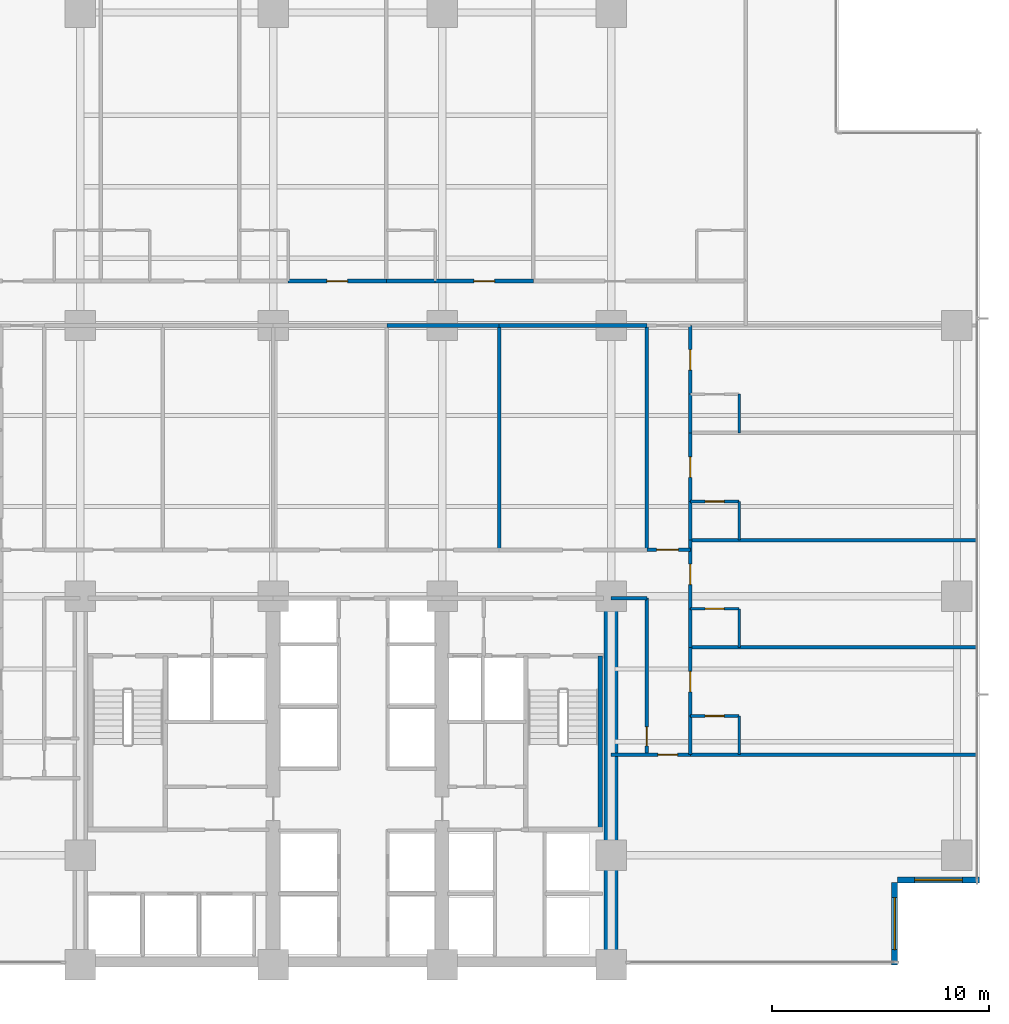
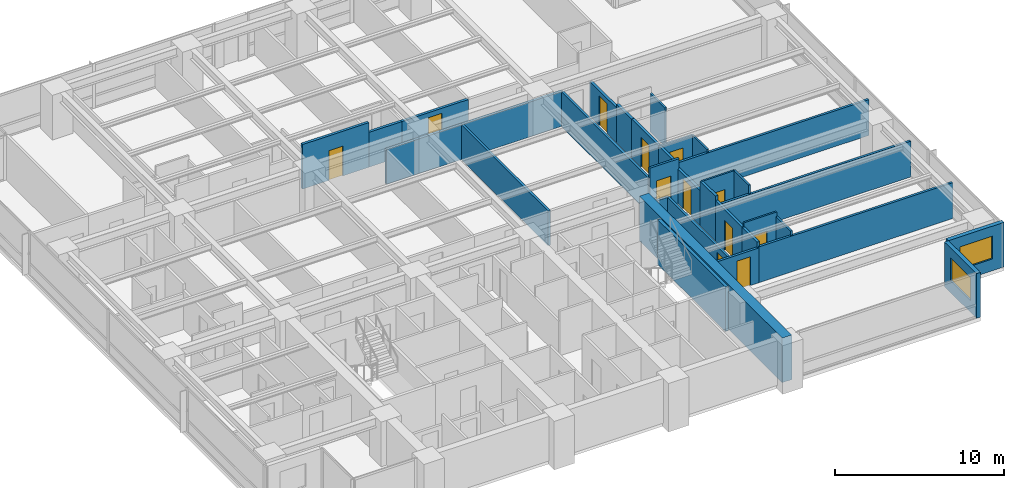
# One storey, part 10 of 16: 33 walls, 12 doors, 2 windows, 14 openings.
"""IFC4 building model written with IfcOpenShell, lengths in metres."""

from ifc_helpers import new_model, si_unit, direction, frame, frame_2d, origin, place, context, subcontext, project, spatial, rectangle, extrude, material, layer, layer_set, type_object, element, fill, save


model = new_model("IFC4")

# Units and contexts
model_context = context("Model", 3, precision=1e-05, world=origin(), true_north=direction((0.0, 1.0)))
body_context = subcontext(model_context, "Body", "Model", "MODEL_VIEW")
ifc_project = project(units=[si_unit("LENGTHUNIT", "METRE"), si_unit("AREAUNIT", "SQUARE_METRE"), si_unit("VOLUMEUNIT", "CUBIC_METRE"), si_unit("PLANEANGLEUNIT", "RADIAN"), si_unit("MASSUNIT", "GRAM", prefix="KILO")], contexts=[model_context])

# Site, building, storey
site_placement = place(None, origin())
site = spatial("IfcSite", under=ifc_project, at=site_placement, CompositionType="ELEMENT")
building_placement = place(site_placement, origin())
building = spatial("IfcBuilding", under=site, at=building_placement, Name="Qalmaran Belvedere Hotel", CompositionType="ELEMENT")
storey_placement = place(building_placement, frame((0.0, 0.0, 36.89990234375)))
storey = spatial("IfcBuildingStorey", under=building, at=storey_placement, Name="L08", CompositionType="ELEMENT", Elevation=36.89990234375)

# Wall
ifc_material_1 = material(Name="Concrete C60/75", Category="concrete")
ifc_layer_1 = layer(ifc_material_1, 0.64990234375, Name="Concrete C60/75")
ifc_layer_set_1 = layer_set([ifc_layer_1], Name="Concrete C60/75")
wall_type_1 = type_object("IfcWallType", Name="WL-CORE-650-C60", PredefinedType="SHEAR", material=ifc_layer_set_1)
wall_1_placement = place(storey_placement, frame((44.800048828125, 3.5, 0.0), z_axis=(0.0, 0.0, 1.0), x_axis=(0.0, 1.0, 0.0)))
element("IfcWall", 1, at=wall_1_placement, inside=storey, type_object=wall_type_1, Name="L08 East Core Shear Wall", PredefinedType="SHEAR", context=body_context, shape_type="SweptSolid", body=[
    extrude(rectangle(XDim=16.89990234375, YDim=0.64990234375, at=frame_2d((8.449951171875, 0.0))), origin(), (0.0, 0.0, 1.0), 3.22021484375),
])

# Wall, opening, window
ifc_material_2 = material(Name="Anodised Bronze Cladding")
ifc_layer_2 = layer(ifc_material_2, 0.280029296875, Name="Anodised Bronze Cladding")
ifc_layer_set_2 = layer_set([ifc_layer_2], Name="Anodised Bronze Cladding")
wall_type_2 = type_object("IfcWallType", Name="WL-EXT-BRNZ-280", PredefinedType="SOLIDWALL", material=ifc_layer_set_2)
wall_2_placement = place(storey_placement, frame((57.8798828125, 3.5, 0.0), z_axis=(0.0, 0.0, 1.0), x_axis=(0.0, 1.0, 0.0)))
wall_2 = element("IfcWall", 2, at=wall_2_placement, inside=storey, type_object=wall_type_2, Name="L08 Corner Notch Wall 1", PredefinedType="SOLIDWALL", context=body_context, shape_type="SweptSolid", body=[
    extrude(rectangle(XDim=3.800048828125, YDim=0.280029296875, at=frame_2d((1.89990234375, 0.0))), origin(), (0.0, 0.0, 1.0), 3.22021484375),
])
opening_1_placement = place(wall_2_placement, frame((0.699951171875, 0.0, 0.85009765625)))
opening_1 = element("IfcOpeningElement", 3, at=opening_1_placement, cuts=wall_2, Name="Opening W-N24", PredefinedType="OPENING", context=body_context, shape_type="SweptSolid", body=[
    extrude(rectangle(XDim=2.39990234375, YDim=1.64990234375, at=frame_2d((1.199951171875, 0.824951171875))), frame((0.0, 0.14990234375, 0.0), z_axis=(0.0, -1.0, 0.0), x_axis=(1.0, 0.0, 0.0)), (0.0, 0.0, 1.0), 0.300048828125),
])
ifc_material_3 = material(Name="Solar-Control Double Glazing", Category="glass")
window_type_1 = type_object("IfcWindowType", Name="WN-NTC-2400X1650", PartitioningType="SINGLE_PANEL", PredefinedType="WINDOW", material=ifc_material_3)
window_1_placement = place(opening_1_placement, origin())
window_1 = element("IfcWindow", 4, at=window_1_placement, inside=storey, type_object=window_type_1, Name="L08 Corner Notch Window 1", OverallHeight=1.64990234375, OverallWidth=2.39990234375, PartitioningType="SINGLE_PANEL", PredefinedType="WINDOW", context=body_context, shape_type="SweptSolid", body=[
    extrude(rectangle(XDim=2.39990234375, YDim=1.64990234375, at=frame_2d((1.199951171875, 0.824951171875))), frame((0.0, 0.030029296875, 0.0), z_axis=(0.0, -1.0, 0.0), x_axis=(1.0, 0.0, 0.0)), (0.0, 0.0, 1.0), 0.06005859375),
])
fill(opening_1, window_1)

wall_3_placement = place(storey_placement, frame((58.0, 7.419921875, 0.0), z_axis=(0.0, 0.0, 1.0), x_axis=(1.0, 0.0, 0.0)))
wall_3 = element("IfcWall", 5, at=wall_3_placement, inside=storey, type_object=wall_type_2, Name="L08 Corner Notch Wall 2", PredefinedType="SOLIDWALL", context=body_context, shape_type="SweptSolid", body=[
    extrude(rectangle(XDim=3.800048828125, YDim=0.280029296875, at=frame_2d((1.89990234375, 0.0))), origin(), (0.0, 0.0, 1.0), 3.22021484375),
])
opening_2_placement = place(wall_3_placement, frame((0.800048828125, 0.0, 0.85009765625)))
opening_2 = element("IfcOpeningElement", 6, at=opening_2_placement, cuts=wall_3, Name="Opening W-N22", PredefinedType="OPENING", context=body_context, shape_type="SweptSolid", body=[
    extrude(rectangle(XDim=2.199951171875, YDim=1.64990234375, at=frame_2d((1.10009765625, 0.824951171875))), frame((0.0, 0.14990234375, 0.0), z_axis=(0.0, -1.0, 0.0), x_axis=(1.0, 0.0, 0.0)), (0.0, 0.0, 1.0), 0.300048828125),
])
window_type_2 = type_object("IfcWindowType", Name="WN-NTC-2200X1650", PartitioningType="SINGLE_PANEL", PredefinedType="WINDOW", material=ifc_material_3)
window_2_placement = place(opening_2_placement, origin())
window_2 = element("IfcWindow", 7, at=window_2_placement, inside=storey, type_object=window_type_2, Name="L08 Corner Notch Window 2", OverallHeight=1.64990234375, OverallWidth=2.199951171875, PartitioningType="SINGLE_PANEL", PredefinedType="WINDOW", context=body_context, shape_type="SweptSolid", body=[
    extrude(rectangle(XDim=2.199951171875, YDim=1.64990234375, at=frame_2d((1.10009765625, 0.824951171875))), frame((0.0, 0.030029296875, 0.0), z_axis=(0.0, -1.0, 0.0), x_axis=(1.0, 0.0, 0.0)), (0.0, 0.0, 1.0), 0.06005859375),
])
fill(opening_2, window_2)

# Wall, opening, door
ifc_material_4 = material(Name="Moisture-Resistant Gypsum")
ifc_layer_3 = layer(ifc_material_4, 0.1201171875, Name="Moisture-Resistant Gypsum")
ifc_layer_set_3 = layer_set([ifc_layer_3], Name="Moisture-Resistant Gypsum")
wall_type_3 = type_object("IfcWallType", Name="WL-INT-120-BATH", PredefinedType="PARTITIONING", material=ifc_layer_set_3)
wall_4_placement = place(storey_placement, frame((48.449951171875, 14.97998046875, 0.0), z_axis=(0.0, 0.0, 1.0), x_axis=(1.0, 0.0, 0.0)))
wall_4 = element("IfcWall", 8, at=wall_4_placement, inside=storey, type_object=wall_type_3, Name="L08 Partition WL-L08-EBN00", PredefinedType="PARTITIONING", context=body_context, shape_type="SweptSolid", body=[
    extrude(rectangle(XDim=2.25, YDim=0.1201171875, at=frame_2d((1.125, 0.0))), origin(), (0.0, 0.0, 1.0), 3.22021484375),
])
opening_3_placement = place(wall_4_placement, frame((1.56494140625, 0.0, 0.0), z_axis=(0.0, 0.0, 1.0), x_axis=(-1.0, 0.0, 0.0)))
opening_3 = element("IfcOpeningElement", 9, at=opening_3_placement, cuts=wall_4, Name="Opening D-BATH", PredefinedType="OPENING", context=body_context, shape_type="SweptSolid", body=[
    extrude(rectangle(XDim=0.8798828125, YDim=2.080078125, at=frame_2d((0.43994140625, 1.0400390625))), frame((0.0, 0.070068359375, 0.0), z_axis=(0.0, -1.0, 0.0), x_axis=(1.0, 0.0, 0.0)), (0.0, 0.0, 1.0), 0.14013671875),
])
ifc_material_5 = material(Name="Engineered Oak Veneer")
door_type_1 = type_object("IfcDoorType", Name="DR-INT-BATH-880X2080", OperationType="NOTDEFINED", PredefinedType="DOOR", material=ifc_material_5)
door_1_placement = place(opening_3_placement, origin())
door_1 = element("IfcDoor", 10, at=door_1_placement, inside=storey, type_object=door_type_1, Name="L08 E Ensuite Door 01", OperationType="SINGLE_SWING_RIGHT", OverallHeight=2.080078125, OverallWidth=0.8798828125, PredefinedType="DOOR", context=body_context, shape_type="SweptSolid", body=[
    extrude(rectangle(XDim=0.8798828125, YDim=2.080078125, at=frame_2d((0.43994140625, 1.0400390625))), frame((0.0, 0.02490234375, 0.0), z_axis=(0.0, -1.0, 0.0), x_axis=(1.0, 0.0, 0.0)), (0.0, 0.0, 1.0), 0.050048828125),
])
fill(opening_3, door_1)

# Wall
wall_5_placement = place(storey_placement, frame((50.699951171875, 13.199951171875, 0.0), z_axis=(0.0, 0.0, 1.0), x_axis=(0.0, 1.0, 0.0)))
element("IfcWall", 11, at=wall_5_placement, inside=storey, type_object=wall_type_3, Name="L08 Partition WL-L08-EBS00", PredefinedType="PARTITIONING", context=body_context, shape_type="SweptSolid", body=[
    extrude(rectangle(XDim=1.780029296875, YDim=0.1201171875, at=frame_2d((0.89013671875, 0.0))), origin(), (0.0, 0.0, 1.0), 2.902099609375),
])

# Wall, opening, door
wall_6_placement = place(storey_placement, frame((48.449951171875, 19.929931640625, 0.0), z_axis=(0.0, 0.0, 1.0), x_axis=(1.0, 0.0, 0.0)))
wall_6 = element("IfcWall", 12, at=wall_6_placement, inside=storey, type_object=wall_type_3, Name="L08 Partition WL-L08-EBN01", PredefinedType="PARTITIONING", context=body_context, shape_type="SweptSolid", body=[
    extrude(rectangle(XDim=2.25, YDim=0.1201171875, at=frame_2d((1.125, 0.0))), origin(), (0.0, 0.0, 1.0), 3.22021484375),
])
opening_4_placement = place(wall_6_placement, frame((1.56494140625, 0.0, 0.0), z_axis=(0.0, 0.0, 1.0), x_axis=(-1.0, 0.0, 0.0)))
opening_4 = element("IfcOpeningElement", 13, at=opening_4_placement, cuts=wall_6, Name="Opening D-BATH", PredefinedType="OPENING", context=body_context, shape_type="SweptSolid", body=[
    extrude(rectangle(XDim=0.8798828125, YDim=2.080078125, at=frame_2d((0.43994140625, 1.0400390625))), frame((0.0, 0.070068359375, 0.0), z_axis=(0.0, -1.0, 0.0), x_axis=(1.0, 0.0, 0.0)), (0.0, 0.0, 1.0), 0.14013671875),
])
door_2_placement = place(opening_4_placement, origin())
door_2 = element("IfcDoor", 14, at=door_2_placement, inside=storey, type_object=door_type_1, Name="L08 E Ensuite Door 02", OperationType="SINGLE_SWING_RIGHT", OverallHeight=2.080078125, OverallWidth=0.8798828125, PredefinedType="DOOR", context=body_context, shape_type="SweptSolid", body=[
    extrude(rectangle(XDim=0.8798828125, YDim=2.080078125, at=frame_2d((0.43994140625, 1.0400390625))), frame((0.0, 0.02490234375, 0.0), z_axis=(0.0, -1.0, 0.0), x_axis=(1.0, 0.0, 0.0)), (0.0, 0.0, 1.0), 0.050048828125),
])
fill(opening_4, door_2)

# Wall
wall_7_placement = place(storey_placement, frame((50.699951171875, 18.14990234375, 0.0), z_axis=(0.0, 0.0, 1.0), x_axis=(0.0, 1.0, 0.0)))
element("IfcWall", 15, at=wall_7_placement, inside=storey, type_object=wall_type_3, Name="L08 Partition WL-L08-EBS01", PredefinedType="PARTITIONING", context=body_context, shape_type="SweptSolid", body=[
    extrude(rectangle(XDim=1.780029296875, YDim=0.1201171875, at=frame_2d((0.89013671875, 0.0))), origin(), (0.0, 0.0, 1.0), 3.22021484375),
])

# Wall, opening, door
wall_8_placement = place(storey_placement, frame((48.449951171875, 24.8798828125, 0.0), z_axis=(0.0, 0.0, 1.0), x_axis=(1.0, 0.0, 0.0)))
wall_8 = element("IfcWall", 16, at=wall_8_placement, inside=storey, type_object=wall_type_3, Name="L08 Partition WL-L08-EBN02", PredefinedType="PARTITIONING", context=body_context, shape_type="SweptSolid", body=[
    extrude(rectangle(XDim=2.25, YDim=0.1201171875, at=frame_2d((1.125, 0.0))), origin(), (0.0, 0.0, 1.0), 2.7880859375),
])
opening_5_placement = place(wall_8_placement, frame((1.56494140625, 0.0, 0.0), z_axis=(0.0, 0.0, 1.0), x_axis=(-1.0, 0.0, 0.0)))
opening_5 = element("IfcOpeningElement", 17, at=opening_5_placement, cuts=wall_8, Name="Opening D-BATH", PredefinedType="OPENING", context=body_context, shape_type="SweptSolid", body=[
    extrude(rectangle(XDim=0.8798828125, YDim=2.080078125, at=frame_2d((0.43994140625, 1.0400390625))), frame((0.0, 0.070068359375, 0.0), z_axis=(0.0, -1.0, 0.0), x_axis=(1.0, 0.0, 0.0)), (0.0, 0.0, 1.0), 0.14013671875),
])
door_3_placement = place(opening_5_placement, origin())
door_3 = element("IfcDoor", 18, at=door_3_placement, inside=storey, type_object=door_type_1, Name="L08 E Ensuite Door 03", OperationType="SINGLE_SWING_RIGHT", OverallHeight=2.080078125, OverallWidth=0.8798828125, PredefinedType="DOOR", context=body_context, shape_type="SweptSolid", body=[
    extrude(rectangle(XDim=0.8798828125, YDim=2.080078125, at=frame_2d((0.43994140625, 1.0400390625))), frame((0.0, 0.02490234375, 0.0), z_axis=(0.0, -1.0, 0.0), x_axis=(1.0, 0.0, 0.0)), (0.0, 0.0, 1.0), 0.050048828125),
])
fill(opening_5, door_3)

# Walls
wall_9_placement = place(storey_placement, frame((50.699951171875, 23.10009765625, 0.0), z_axis=(0.0, 0.0, 1.0), x_axis=(0.0, 1.0, 0.0)))
element("IfcWall", 19, at=wall_9_placement, inside=storey, type_object=wall_type_3, Name="L08 Partition WL-L08-EBS02", PredefinedType="PARTITIONING", context=body_context, shape_type="SweptSolid", body=[
    extrude(rectangle(XDim=1.77978515625, YDim=0.1201171875, at=frame_2d((0.889892578125, 0.0))), origin(), (0.0, 0.0, 1.0), 2.7880859375),
])
wall_10_placement = place(storey_placement, frame((50.699951171875, 28.050048828125, 0.0), z_axis=(0.0, 0.0, 1.0), x_axis=(0.0, 1.0, 0.0)))
element("IfcWall", 20, at=wall_10_placement, inside=storey, type_object=wall_type_3, Name="L08 Partition WL-L08-EBS03", PredefinedType="PARTITIONING", context=body_context, shape_type="SweptSolid", body=[
    extrude(rectangle(XDim=1.780029296875, YDim=0.1201171875, at=frame_2d((0.89013671875, 0.0))), origin(), (0.0, 0.0, 1.0), 2.7880859375),
])

# Wall, opening, door
ifc_material_6 = material(Name="Gypsum Stud Partition")
ifc_layer_4 = layer(ifc_material_6, 0.14990234375, Name="Gypsum Stud Partition")
ifc_layer_set_4 = layer_set([ifc_layer_4], Name="Gypsum Stud Partition")
wall_type_4 = type_object("IfcWallType", Name="WL-INT-150-EI60", PredefinedType="PARTITIONING", material=ifc_layer_set_4)
wall_11_placement = place(storey_placement, frame((46.449951171875, 22.64990234375, 0.0), z_axis=(0.0, 0.0, 1.0), x_axis=(1.0, 0.0, 0.0)))
wall_11 = element("IfcWall", 21, at=wall_11_placement, inside=storey, type_object=wall_type_4, Name="L08 Partition WL-L08-XCE1", PredefinedType="PARTITIONING", context=body_context, shape_type="SweptSolid", body=[
    extrude(rectangle(XDim=2.0, YDim=0.14990234375, at=frame_2d((1.0, 0.0))), origin(), (0.0, 0.0, 1.0), 3.22021484375),
])
opening_6_placement = place(wall_11_placement, frame((0.449951171875, 0.0, 0.0)))
opening_6 = element("IfcOpeningElement", 22, at=opening_6_placement, cuts=wall_11, Name="Opening FD90B", PredefinedType="OPENING", context=body_context, shape_type="SweptSolid", body=[
    extrude(rectangle(XDim=1.0, YDim=2.14990234375, at=frame_2d((0.5, 1.074951171875))), frame((0.0, 0.0849609375, 0.0), z_axis=(0.0, -1.0, 0.0), x_axis=(1.0, 0.0, 0.0)), (0.0, 0.0, 1.0), 0.169921875),
])
ifc_material_7 = material(Name="Steel S355JR", Category="steel")
door_type_2 = type_object("IfcDoorType", Name="DR-FD90B-1000X2150", OperationType="NOTDEFINED", PredefinedType="DOOR", material=ifc_material_7)
door_4_placement = place(opening_6_placement, origin())
door_4 = element("IfcDoor", 23, at=door_4_placement, inside=storey, type_object=door_type_2, Name="L08 East Corridor Smoke Door S", OperationType="SINGLE_SWING_LEFT", OverallHeight=2.14990234375, OverallWidth=1.0, PredefinedType="DOOR", context=body_context, shape_type="SweptSolid", body=[
    extrude(rectangle(XDim=1.0, YDim=2.14990234375, at=frame_2d((0.5, 1.074951171875))), frame((0.0, 0.02490234375, 0.0), z_axis=(0.0, -1.0, 0.0), x_axis=(1.0, 0.0, 0.0)), (0.0, 0.0, 1.0), 0.050048828125),
])
fill(opening_6, door_4)

ifc_layer_5 = layer(ifc_material_6, 0.159912109375, Name="Gypsum Stud Partition")
ifc_layer_set_5 = layer_set([ifc_layer_5], Name="Gypsum Stud Partition")
wall_type_5 = type_object("IfcWallType", Name="WL-INT-160-EI60", PredefinedType="PARTITIONING", material=ifc_layer_set_5)
wall_12_placement = place(storey_placement, frame((44.800048828125, 13.199951171875, 0.0), z_axis=(0.0, 0.0, 1.0), x_axis=(1.0, 0.0, 0.0)))
wall_12 = element("IfcWall", 24, at=wall_12_placement, inside=storey, type_object=wall_type_5, Name="L08 Partition WL-L08-SERL", PredefinedType="PARTITIONING", context=body_context, shape_type="SweptSolid", body=[
    extrude(rectangle(XDim=3.64990234375, YDim=0.159912109375, at=frame_2d((1.824951171875, 0.0))), origin(), (0.0, 0.0, 1.0), 2.510009765625),
])
opening_7_placement = place(wall_12_placement, frame((3.06982421875, 0.0, 0.0), z_axis=(0.0, 0.0, 1.0), x_axis=(-1.0, 0.0, 0.0)))
opening_7 = element("IfcOpeningElement", 25, at=opening_7_placement, cuts=wall_12, Name="Opening FD60S1", PredefinedType="OPENING", context=body_context, shape_type="SweptSolid", body=[
    extrude(rectangle(XDim=0.919921875, YDim=2.080078125, at=frame_2d((0.4599609375, 1.0400390625))), frame((0.0, 0.08984375, 0.0), z_axis=(0.0, -1.0, 0.0), x_axis=(1.0, 0.0, 0.0)), (0.0, 0.0, 1.0), 0.179931640625),
])
door_type_3 = type_object("IfcDoorType", Name="DR-FD60S-920X2080", OperationType="NOTDEFINED", PredefinedType="DOOR", material=ifc_material_5)
door_5_placement = place(opening_7_placement, origin())
door_5 = element("IfcDoor", 26, at=door_5_placement, inside=storey, type_object=door_type_3, Name="L08 SE Lounge Door", OperationType="SINGLE_SWING_RIGHT", OverallHeight=2.080078125, OverallWidth=0.919921875, PredefinedType="DOOR", context=body_context, shape_type="SweptSolid", body=[
    extrude(rectangle(XDim=0.919921875, YDim=2.080078125, at=frame_2d((0.4599609375, 1.0400390625))), frame((0.0, 0.02490234375, 0.0), z_axis=(0.0, -1.0, 0.0), x_axis=(1.0, 0.0, 0.0)), (0.0, 0.0, 1.0), 0.050048828125),
])
fill(opening_7, door_5)

wall_13_placement = place(storey_placement, frame((46.449951171875, 13.199951171875, 0.0), z_axis=(0.0, 0.0, 1.0), x_axis=(0.0, 1.0, 0.0)))
wall_13 = element("IfcWall", 27, at=wall_13_placement, inside=storey, type_object=wall_type_5, Name="L08 Partition WL-L08-ECL", PredefinedType="PARTITIONING", context=body_context, shape_type="SweptSolid", body=[
    extrude(rectangle(XDim=7.219970703125, YDim=0.159912109375, at=frame_2d((3.60986328125, 0.0))), origin(), (0.0, 0.0, 1.0), 2.510009765625),
])
opening_8_placement = place(wall_13_placement, frame((0.39990234375, 0.0, 0.0)))
opening_8 = element("IfcOpeningElement", 28, at=opening_8_placement, cuts=wall_13, Name="Opening FD60B", PredefinedType="OPENING", context=body_context, shape_type="SweptSolid", body=[
    extrude(rectangle(XDim=0.8798828125, YDim=2.080078125, at=frame_2d((0.43994140625, 1.0400390625))), frame((0.0, 0.08984375, 0.0), z_axis=(0.0, -1.0, 0.0), x_axis=(1.0, 0.0, 0.0)), (0.0, 0.0, 1.0), 0.179931640625),
])
door_type_4 = type_object("IfcDoorType", Name="DR-FD60B-880X2080", OperationType="NOTDEFINED", PredefinedType="DOOR", material=ifc_material_7)
door_6_placement = place(opening_8_placement, origin())
door_6 = element("IfcDoor", 29, at=door_6_placement, inside=storey, type_object=door_type_4, Name="L08 East Closet Door", OperationType="SINGLE_SWING_RIGHT", OverallHeight=2.080078125, OverallWidth=0.8798828125, PredefinedType="DOOR", context=body_context, shape_type="SweptSolid", body=[
    extrude(rectangle(XDim=0.8798828125, YDim=2.080078125, at=frame_2d((0.43994140625, 1.0400390625))), frame((0.0, 0.02490234375, 0.0), z_axis=(0.0, -1.0, 0.0), x_axis=(1.0, 0.0, 0.0)), (0.0, 0.0, 1.0), 0.050048828125),
])
fill(opening_8, door_6)

# Walls
wall_14_placement = place(storey_placement, frame((44.800048828125, 20.419921875, 0.0), z_axis=(0.0, 0.0, 1.0), x_axis=(1.0, 0.0, 0.0)))
element("IfcWall", 30, at=wall_14_placement, inside=storey, type_object=wall_type_5, Name="L08 Partition WL-L08-ECLN", PredefinedType="PARTITIONING", context=body_context, shape_type="SweptSolid", body=[
    extrude(rectangle(XDim=1.64990234375, YDim=0.159912109375, at=frame_2d((0.824951171875, 0.0))), origin(), (0.0, 0.0, 1.0), 2.510009765625),
])
for number, where, z_axis, x_axis, name in (
    (31, (39.625, 22.64990234375, 0.0), (0.0, 0.0, 1.0), (0.0, 1.0, 0.0), "L08 Partition WL-L08-MIDVR4"),
    (32, (46.449951171875, 22.64990234375, 0.0), (0.0, 0.0, 1.0), (0.0, 1.0, 0.0), "L08 Partition WL-L08-MIDVR5"),
):
    element("IfcWall", number, at=place(storey_placement, frame(where, z_axis=z_axis, x_axis=x_axis)), inside=storey, type_object=wall_type_5, Name=name, PredefinedType="PARTITIONING", context=body_context, shape_type="SweptSolid", body=[
        extrude(rectangle(XDim=10.35009765625, YDim=0.159912109375, at=frame_2d((5.175048828125, 0.0))), origin(), (0.0, 0.0, 1.0), 2.510009765625),
    ])
for number, where, z_axis, x_axis, name in (
    (33, (48.449951171875, 13.199951171875, 0.0), (0.0, 0.0, 1.0), (1.0, 0.0, 0.0), "L08 Partition WL-L08-EBOT"),
    (34, (48.449951171875, 18.14990234375, 0.0), (0.0, 0.0, 1.0), (1.0, 0.0, 0.0), "L08 Partition WL-L08-EU00"),
    (35, (48.449951171875, 23.10009765625, 0.0), (0.0, 0.0, 1.0), (1.0, 0.0, 0.0), "L08 Partition WL-L08-EU01"),
):
    element("IfcWall", number, at=place(storey_placement, frame(where, z_axis=z_axis, x_axis=x_axis)), inside=storey, type_object=wall_type_5, Name=name, PredefinedType="PARTITIONING", context=body_context, shape_type="SweptSolid", body=[
        extrude(rectangle(XDim=13.22998046875, YDim=0.159912109375, at=frame_2d((6.614990234375, 0.0))), origin(), (0.0, 0.0, 1.0), 2.5830078125),
    ])
ifc_layer_6 = layer(ifc_material_6, 0.179931640625, Name="Gypsum Stud Partition")
ifc_layer_set_6 = layer_set([ifc_layer_6], Name="Gypsum Stud Partition")
wall_type_6 = type_object("IfcWallType", Name="WL-INT-180-EI60", PredefinedType="PARTITIONING", material=ifc_layer_set_6)
wall_15_placement = place(storey_placement, frame((34.449951171875, 33.0, 0.0), z_axis=(0.0, 0.0, 1.0), x_axis=(1.0, 0.0, 0.0)))
element("IfcWall", 36, at=wall_15_placement, inside=storey, type_object=wall_type_6, Name="L08 Partition WL-L08-MIDO4", PredefinedType="PARTITIONING", context=body_context, shape_type="SweptSolid", body=[
    extrude(rectangle(XDim=5.175048828125, YDim=0.179931640625, at=frame_2d((2.58740234375, 0.0))), origin(), (0.0, 0.0, 1.0), 2.510009765625),
])
wall_16_placement = place(storey_placement, frame((39.625, 33.0, 0.0), z_axis=(0.0, 0.0, 1.0), x_axis=(1.0, 0.0, 0.0)))
element("IfcWall", 37, at=wall_16_placement, inside=storey, type_object=wall_type_6, Name="L08 Partition WL-L08-MIDO5", PredefinedType="PARTITIONING", context=body_context, shape_type="SweptSolid", body=[
    extrude(rectangle(XDim=6.824951171875, YDim=0.179931640625, at=frame_2d((3.41259765625, 0.0))), origin(), (0.0, 0.0, 1.0), 2.510009765625),
])

# Wall, opening, door
wall_17_placement = place(storey_placement, frame((29.89208984375, 35.050048828125, 0.0), z_axis=(0.0, 0.0, 1.0), x_axis=(1.0, 0.0, 0.0)))
wall_17 = element("IfcWall", 38, at=wall_17_placement, inside=storey, type_object=wall_type_6, Name="L08 Partition WL-L08-NEC02", PredefinedType="PARTITIONING", context=body_context, shape_type="SweptSolid", body=[
    extrude(rectangle(XDim=4.53466796875, YDim=0.179931640625, at=frame_2d((2.267333984375, 0.0))), origin(), (0.0, 0.0, 1.0), 3.22021484375),
])
opening_9_placement = place(wall_17_placement, frame((1.79248046875, 0.0, 0.0)))
opening_9 = element("IfcOpeningElement", 39, at=opening_9_placement, cuts=wall_17, Name="Opening FD60", PredefinedType="OPENING", context=body_context, shape_type="SweptSolid", body=[
    extrude(rectangle(XDim=0.949951171875, YDim=2.14990234375, at=frame_2d((0.47509765625, 1.074951171875))), frame((0.0, 0.10009765625, 0.0), z_axis=(0.0, -1.0, 0.0), x_axis=(1.0, 0.0, 0.0)), (0.0, 0.0, 1.0), 0.199951171875),
])
door_type_5 = type_object("IfcDoorType", Name="DR-FD60-950X2150", OperationType="NOTDEFINED", PredefinedType="DOOR", material=ifc_material_5)
door_7_placement = place(opening_9_placement, origin())
door_7 = element("IfcDoor", 40, at=door_7_placement, inside=storey, type_object=door_type_5, Name="L08 Guest Entrance Door N03", OperationType="SINGLE_SWING_LEFT", OverallHeight=2.14990234375, OverallWidth=0.949951171875, PredefinedType="DOOR", context=body_context, shape_type="SweptSolid", body=[
    extrude(rectangle(XDim=0.949951171875, YDim=2.14990234375, at=frame_2d((0.47509765625, 1.074951171875))), frame((0.0, 0.02490234375, 0.0), z_axis=(0.0, -1.0, 0.0), x_axis=(1.0, 0.0, 0.0)), (0.0, 0.0, 1.0), 0.050048828125),
])
fill(opening_9, door_7)

# Wall
wall_18_placement = place(storey_placement, frame((34.4267578125, 35.050048828125, 0.0), z_axis=(0.0, 0.0, 1.0), x_axis=(1.0, 0.0, 0.0)))
element("IfcWall", 41, at=wall_18_placement, inside=storey, type_object=wall_type_6, Name="L08 Partition WL-L08-NBC03", PredefinedType="PARTITIONING", context=body_context, shape_type="SweptSolid", body=[
    extrude(rectangle(XDim=2.25, YDim=0.179931640625, at=frame_2d((1.125, 0.0))), origin(), (0.0, 0.0, 1.0), 2.510009765625),
])

# Wall, opening, door
wall_19_placement = place(storey_placement, frame((36.6767578125, 35.050048828125, 0.0), z_axis=(0.0, 0.0, 1.0), x_axis=(1.0, 0.0, 0.0)))
wall_19 = element("IfcWall", 42, at=wall_19_placement, inside=storey, type_object=wall_type_6, Name="L08 Partition WL-L08-NEC03", PredefinedType="PARTITIONING", context=body_context, shape_type="SweptSolid", body=[
    extrude(rectangle(XDim=4.53466796875, YDim=0.179931640625, at=frame_2d((2.267333984375, 0.0))), origin(), (0.0, 0.0, 1.0), 2.510009765625),
])
opening_10_placement = place(wall_19_placement, frame((1.79248046875, 0.0, 0.0)))
opening_10 = element("IfcOpeningElement", 43, at=opening_10_placement, cuts=wall_19, Name="Opening FD60", PredefinedType="OPENING", context=body_context, shape_type="SweptSolid", body=[
    extrude(rectangle(XDim=0.949951171875, YDim=2.14990234375, at=frame_2d((0.47509765625, 1.074951171875))), frame((0.0, 0.10009765625, 0.0), z_axis=(0.0, -1.0, 0.0), x_axis=(1.0, 0.0, 0.0)), (0.0, 0.0, 1.0), 0.199951171875),
])
door_8_placement = place(opening_10_placement, origin())
door_8 = element("IfcDoor", 44, at=door_8_placement, inside=storey, type_object=door_type_5, Name="L08 Guest Entrance Door N04", OperationType="SINGLE_SWING_LEFT", OverallHeight=2.14990234375, OverallWidth=0.949951171875, PredefinedType="DOOR", context=body_context, shape_type="SweptSolid", body=[
    extrude(rectangle(XDim=0.949951171875, YDim=2.14990234375, at=frame_2d((0.47509765625, 1.074951171875))), frame((0.0, 0.02490234375, 0.0), z_axis=(0.0, -1.0, 0.0), x_axis=(1.0, 0.0, 0.0)), (0.0, 0.0, 1.0), 0.050048828125),
])
fill(opening_10, door_8)

# Wall
wall_20_placement = place(storey_placement, frame((48.449951171875, 13.199951171875, 0.0), z_axis=(0.0, 0.0, 1.0), x_axis=(0.0, 1.0, 0.0)))
element("IfcWall", 45, at=wall_20_placement, inside=storey, type_object=wall_type_6, Name="L08 Partition WL-L08-EBC00", PredefinedType="PARTITIONING", context=body_context, shape_type="SweptSolid", body=[
    extrude(rectangle(XDim=1.780029296875, YDim=0.179931640625, at=frame_2d((0.89013671875, 0.0))), origin(), (0.0, 0.0, 1.0), 2.902099609375),
])

# Wall, opening, door
wall_21_placement = place(storey_placement, frame((48.449951171875, 14.97998046875, 0.0), z_axis=(0.0, 0.0, 1.0), x_axis=(0.0, 1.0, 0.0)))
wall_21 = element("IfcWall", 46, at=wall_21_placement, inside=storey, type_object=wall_type_6, Name="L08 Partition WL-L08-EEC00", PredefinedType="PARTITIONING", context=body_context, shape_type="SweptSolid", body=[
    extrude(rectangle(XDim=3.169921875, YDim=0.179931640625, at=frame_2d((1.5849609375, 0.0))), origin(), (0.0, 0.0, 1.0), 2.902099609375),
])
opening_11_placement = place(wall_21_placement, frame((2.06005859375, 0.0, 0.0), z_axis=(0.0, 0.0, 1.0), x_axis=(-1.0, 0.0, 0.0)))
opening_11 = element("IfcOpeningElement", 47, at=opening_11_placement, cuts=wall_21, Name="Opening FD60", PredefinedType="OPENING", context=body_context, shape_type="SweptSolid", body=[
    extrude(rectangle(XDim=0.949951171875, YDim=2.14990234375, at=frame_2d((0.47509765625, 1.074951171875))), frame((0.0, 0.10009765625, 0.0), z_axis=(0.0, -1.0, 0.0), x_axis=(1.0, 0.0, 0.0)), (0.0, 0.0, 1.0), 0.199951171875),
])
door_9_placement = place(opening_11_placement, origin())
door_9 = element("IfcDoor", 48, at=door_9_placement, inside=storey, type_object=door_type_5, Name="L08 E Wing Door 01", OperationType="SINGLE_SWING_LEFT", OverallHeight=2.14990234375, OverallWidth=0.949951171875, PredefinedType="DOOR", context=body_context, shape_type="SweptSolid", body=[
    extrude(rectangle(XDim=0.949951171875, YDim=2.14990234375, at=frame_2d((0.47509765625, 1.074951171875))), frame((0.0, 0.02490234375, 0.0), z_axis=(0.0, -1.0, 0.0), x_axis=(1.0, 0.0, 0.0)), (0.0, 0.0, 1.0), 0.050048828125),
])
fill(opening_11, door_9)

# Wall
wall_22_placement = place(storey_placement, frame((48.449951171875, 18.14990234375, 0.0), z_axis=(0.0, 0.0, 1.0), x_axis=(0.0, 1.0, 0.0)))
element("IfcWall", 49, at=wall_22_placement, inside=storey, type_object=wall_type_6, Name="L08 Partition WL-L08-EBC01", PredefinedType="PARTITIONING", context=body_context, shape_type="SweptSolid", body=[
    extrude(rectangle(XDim=1.780029296875, YDim=0.179931640625, at=frame_2d((0.89013671875, 0.0))), origin(), (0.0, 0.0, 1.0), 3.22021484375),
])

# Wall, opening, door
wall_23_placement = place(storey_placement, frame((48.449951171875, 19.929931640625, 0.0), z_axis=(0.0, 0.0, 1.0), x_axis=(0.0, 1.0, 0.0)))
wall_23 = element("IfcWall", 50, at=wall_23_placement, inside=storey, type_object=wall_type_6, Name="L08 Partition WL-L08-EEC01", PredefinedType="PARTITIONING", context=body_context, shape_type="SweptSolid", body=[
    extrude(rectangle(XDim=3.170166015625, YDim=0.179931640625, at=frame_2d((1.5849609375, 0.0))), origin(), (0.0, 0.0, 1.0), 2.510009765625),
])
opening_12_placement = place(wall_23_placement, frame((2.06005859375, 0.0, 0.0), z_axis=(0.0, 0.0, 1.0), x_axis=(-1.0, 0.0, 0.0)))
opening_12 = element("IfcOpeningElement", 51, at=opening_12_placement, cuts=wall_23, Name="Opening FD60", PredefinedType="OPENING", context=body_context, shape_type="SweptSolid", body=[
    extrude(rectangle(XDim=0.949951171875, YDim=2.14990234375, at=frame_2d((0.47509765625, 1.074951171875))), frame((0.0, 0.10009765625, 0.0), z_axis=(0.0, -1.0, 0.0), x_axis=(1.0, 0.0, 0.0)), (0.0, 0.0, 1.0), 0.199951171875),
])
door_10_placement = place(opening_12_placement, origin())
door_10 = element("IfcDoor", 52, at=door_10_placement, inside=storey, type_object=door_type_5, Name="L08 E Wing Door 02", OperationType="SINGLE_SWING_LEFT", OverallHeight=2.14990234375, OverallWidth=0.949951171875, PredefinedType="DOOR", context=body_context, shape_type="SweptSolid", body=[
    extrude(rectangle(XDim=0.949951171875, YDim=2.14990234375, at=frame_2d((0.47509765625, 1.074951171875))), frame((0.0, 0.02490234375, 0.0), z_axis=(0.0, -1.0, 0.0), x_axis=(1.0, 0.0, 0.0)), (0.0, 0.0, 1.0), 0.050048828125),
])
fill(opening_12, door_10)

# Wall
wall_24_placement = place(storey_placement, frame((48.449951171875, 23.10009765625, 0.0), z_axis=(0.0, 0.0, 1.0), x_axis=(0.0, 1.0, 0.0)))
element("IfcWall", 53, at=wall_24_placement, inside=storey, type_object=wall_type_6, Name="L08 Partition WL-L08-EBC02", PredefinedType="PARTITIONING", context=body_context, shape_type="SweptSolid", body=[
    extrude(rectangle(XDim=1.77978515625, YDim=0.179931640625, at=frame_2d((0.889892578125, 0.0))), origin(), (0.0, 0.0, 1.0), 2.7880859375),
])

# Wall, opening, door
wall_25_placement = place(storey_placement, frame((48.449951171875, 24.8798828125, 0.0), z_axis=(0.0, 0.0, 1.0), x_axis=(0.0, 1.0, 0.0)))
wall_25 = element("IfcWall", 54, at=wall_25_placement, inside=storey, type_object=wall_type_6, Name="L08 Partition WL-L08-EEC02", PredefinedType="PARTITIONING", context=body_context, shape_type="SweptSolid", body=[
    extrude(rectangle(XDim=3.170166015625, YDim=0.179931640625, at=frame_2d((1.5849609375, 0.0))), origin(), (0.0, 0.0, 1.0), 2.7880859375),
])
opening_13_placement = place(wall_25_placement, frame((2.06005859375, 0.0, 0.0), z_axis=(0.0, 0.0, 1.0), x_axis=(-1.0, 0.0, 0.0)))
opening_13 = element("IfcOpeningElement", 55, at=opening_13_placement, cuts=wall_25, Name="Opening FD60", PredefinedType="OPENING", context=body_context, shape_type="SweptSolid", body=[
    extrude(rectangle(XDim=0.949951171875, YDim=2.14990234375, at=frame_2d((0.47509765625, 1.074951171875))), frame((0.0, 0.10009765625, 0.0), z_axis=(0.0, -1.0, 0.0), x_axis=(1.0, 0.0, 0.0)), (0.0, 0.0, 1.0), 0.199951171875),
])
door_11_placement = place(opening_13_placement, origin())
door_11 = element("IfcDoor", 56, at=door_11_placement, inside=storey, type_object=door_type_5, Name="L08 E Wing Door 03", OperationType="SINGLE_SWING_LEFT", OverallHeight=2.14990234375, OverallWidth=0.949951171875, PredefinedType="DOOR", context=body_context, shape_type="SweptSolid", body=[
    extrude(rectangle(XDim=0.949951171875, YDim=2.14990234375, at=frame_2d((0.47509765625, 1.074951171875))), frame((0.0, 0.02490234375, 0.0), z_axis=(0.0, -1.0, 0.0), x_axis=(1.0, 0.0, 0.0)), (0.0, 0.0, 1.0), 0.050048828125),
])
fill(opening_13, door_11)

# Wall
wall_26_placement = place(storey_placement, frame((48.449951171875, 28.050048828125, 0.0), z_axis=(0.0, 0.0, 1.0), x_axis=(0.0, 1.0, 0.0)))
element("IfcWall", 57, at=wall_26_placement, inside=storey, type_object=wall_type_6, Name="L08 Partition WL-L08-EBC03", PredefinedType="PARTITIONING", context=body_context, shape_type="SweptSolid", body=[
    extrude(rectangle(XDim=1.780029296875, YDim=0.179931640625, at=frame_2d((0.89013671875, 0.0))), origin(), (0.0, 0.0, 1.0), 2.7880859375),
])

# Wall, opening, door
wall_27_placement = place(storey_placement, frame((48.449951171875, 29.830078125, 0.0), z_axis=(0.0, 0.0, 1.0), x_axis=(0.0, 1.0, 0.0)))
wall_27 = element("IfcWall", 58, at=wall_27_placement, inside=storey, type_object=wall_type_6, Name="L08 Partition WL-L08-EEC03", PredefinedType="PARTITIONING", context=body_context, shape_type="SweptSolid", body=[
    extrude(rectangle(XDim=3.169921875, YDim=0.179931640625, at=frame_2d((1.5849609375, 0.0))), origin(), (0.0, 0.0, 1.0), 2.510009765625),
])
opening_14_placement = place(wall_27_placement, frame((2.06005859375, 0.0, 0.0), z_axis=(0.0, 0.0, 1.0), x_axis=(-1.0, 0.0, 0.0)))
opening_14 = element("IfcOpeningElement", 59, at=opening_14_placement, cuts=wall_27, Name="Opening FD60", PredefinedType="OPENING", context=body_context, shape_type="SweptSolid", body=[
    extrude(rectangle(XDim=0.949951171875, YDim=2.14990234375, at=frame_2d((0.47509765625, 1.074951171875))), frame((0.0, 0.10009765625, 0.0), z_axis=(0.0, -1.0, 0.0), x_axis=(1.0, 0.0, 0.0)), (0.0, 0.0, 1.0), 0.199951171875),
])
door_12_placement = place(opening_14_placement, origin())
door_12 = element("IfcDoor", 60, at=door_12_placement, inside=storey, type_object=door_type_5, Name="L08 E Wing Door 04", OperationType="SINGLE_SWING_LEFT", OverallHeight=2.14990234375, OverallWidth=0.949951171875, PredefinedType="DOOR", context=body_context, shape_type="SweptSolid", body=[
    extrude(rectangle(XDim=0.949951171875, YDim=2.14990234375, at=frame_2d((0.47509765625, 1.074951171875))), frame((0.0, 0.02490234375, 0.0), z_axis=(0.0, -1.0, 0.0), x_axis=(1.0, 0.0, 0.0)), (0.0, 0.0, 1.0), 0.050048828125),
])
fill(opening_14, door_12)

# Wall
ifc_material_8 = material(Name="Concrete C50/60", Category="concrete")
ifc_layer_7 = layer(ifc_material_8, 0.2099609375, Name="Concrete C50/60")
ifc_layer_set_7 = layer_set([ifc_layer_7], Name="Concrete C50/60")
wall_type_7 = type_object("IfcWallType", Name="WL-STAIR-210-C50", PredefinedType="SHEAR", material=ifc_layer_set_7)
wall_28_placement = place(storey_placement, frame((44.304931640625, 9.7451171875, 0.0), z_axis=(0.0, 0.0, 1.0), x_axis=(0.0, 1.0, 0.0)))
element("IfcWall", 61, at=wall_28_placement, inside=storey, type_object=wall_type_7, Name="L08 Stair ST-2 East Bearing Wall", PredefinedType="SHEAR", context=body_context, shape_type="SweptSolid", body=[
    extrude(rectangle(XDim=8.009765625, YDim=0.2099609375, at=frame_2d((4.0048828125, 0.0))), origin(), (0.0, 0.0, 1.0), 3.22021484375),
])

save(model, "model.ifc")
